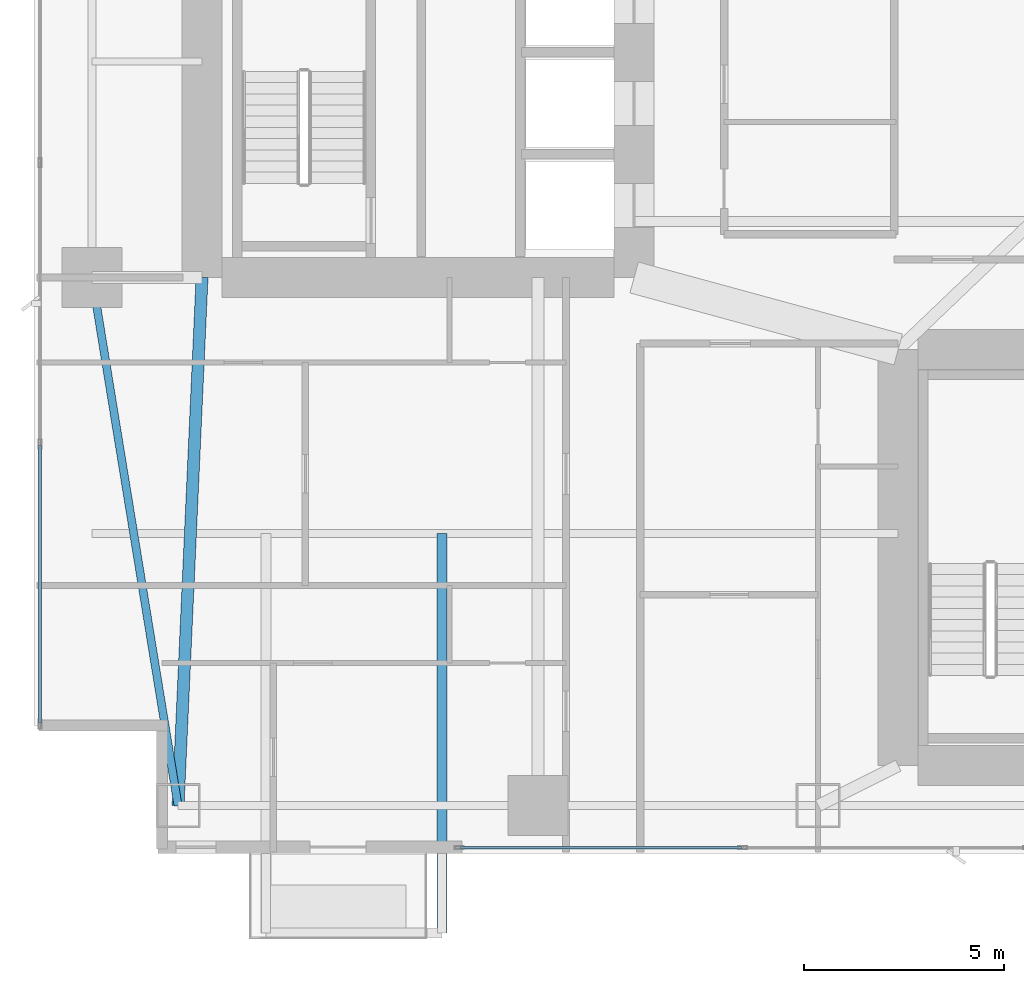
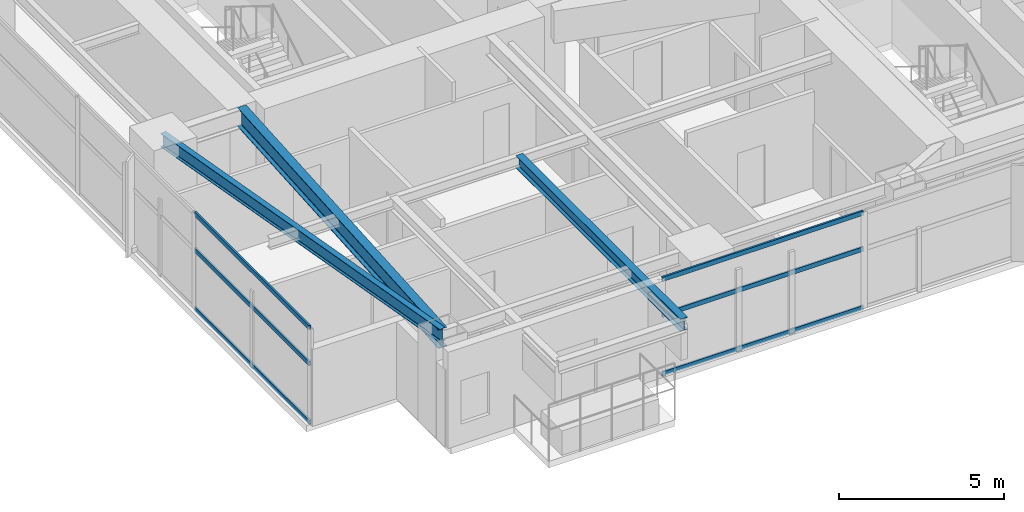
# One storey, part 3 of 30: 6 members, 3 beams, 2 elements without a shape of their own.
"""IFC4 building model written with IfcOpenShell, lengths in metres."""

from ifc_helpers import new_model, si_unit, direction, frame, origin, origin_2d, place, context, subcontext, project, spatial, hollow_rectangle, i_section, extrude, material, layer, layer_set, material_profile, profile_set, type_object, element, aggregate, save


model = new_model("IFC4")

# Units and contexts
model_context = context("Model", 3, precision=1e-05, world=origin(), true_north=direction((0.0, 1.0)))
body_context = subcontext(model_context, "Body", "Model", "MODEL_VIEW")
ifc_project = project(units=[si_unit("LENGTHUNIT", "METRE"), si_unit("AREAUNIT", "SQUARE_METRE"), si_unit("VOLUMEUNIT", "CUBIC_METRE"), si_unit("PLANEANGLEUNIT", "RADIAN"), si_unit("MASSUNIT", "GRAM", prefix="KILO")], contexts=[model_context])

# Site, building, storey
site_placement = place(None, origin())
site = spatial("IfcSite", under=ifc_project, at=site_placement, CompositionType="ELEMENT")
building_placement = place(site_placement, origin())
building = spatial("IfcBuilding", under=site, at=building_placement, Name="Calvorn Quay Hotel", CompositionType="ELEMENT")
storey_placement = place(building_placement, frame((0.0, 0.0, 30.800048828125)))
storey = spatial("IfcBuildingStorey", under=building, at=storey_placement, Name="L06", CompositionType="ELEMENT", Elevation=30.800048828125)

# Beams
ifc_material_1 = material(Name="Steel Q355B", Category="steel")
ifc_material_profile_1 = material_profile(ifc_material_1, i_section(OverallWidth=0.25, OverallDepth=0.449951171875, WebThickness=0.011962890625, FlangeThickness=0.01611328125, FilletRadius=0.01611328125, at=origin_2d()), Name="HN450x250x12x16")
ifc_profile_set_1 = profile_set([ifc_material_profile_1], Name="Steel Q355B")
beam_type_1 = type_object("IfcBeamType", Name="BM-CANT-BALC", PredefinedType="BEAM", material=ifc_profile_set_1)
beam_1_placement = place(storey_placement, frame((10.199951171875, 10.39990234375, 3.31494140625), z_axis=(0.0, -1.0, 0.0), x_axis=(1.0, 0.0, 0.0)))
element("IfcBeam", 1, at=beam_1_placement, inside=storey, type_object=beam_type_1, Name="Cantilever Balcony Beam BCB-L07-2B", PredefinedType="BEAM", context=body_context, shape_type="SweptSolid", body=[
    extrude(i_section(OverallWidth=0.25, OverallDepth=0.449951171875, WebThickness=0.011962890625, FlangeThickness=0.01611328125, FilletRadius=0.01611328125, at=origin_2d()), origin(), (0.0, 0.0, 1.0), 9.989990234375),
])
ifc_material_2 = material(Name="Steel Q390GJC", Category="steel")
ifc_material_profile_2 = material_profile(ifc_material_2, i_section(OverallWidth=0.300048828125, OverallDepth=0.699951171875, WebThickness=0.012939453125, FlangeThickness=0.02392578125, FilletRadius=0.02392578125, at=origin_2d()), Name="HN700x300x13x24")
ifc_profile_set_2 = profile_set([ifc_material_profile_2], Name="Steel Q390GJC")
beam_type_2 = type_object("IfcBeamType", Name="BM-GIRD-MAIN", PredefinedType="BEAM", material=ifc_profile_set_2)
beam_2_placement = place(storey_placement, frame((3.60009765625, 3.60009765625, 3.18994140625), z_axis=(0.045396765494, 0.998969035397, 0.0), x_axis=(-0.998969035397, 0.045396765494, 0.0)))
element("IfcBeam", 2, at=beam_2_placement, inside=storey, type_object=beam_type_2, Name="Beam BG-L06-W0", PredefinedType="BEAM", context=body_context, shape_type="SweptSolid", body=[
    extrude(i_section(OverallWidth=0.300048828125, OverallDepth=0.699951171875, WebThickness=0.012939453125, FlangeThickness=0.02392578125, FilletRadius=0.02392578125, at=origin_2d()), origin(), (0.0, 0.0, 1.0), 13.213623046875),
])
ifc_material_3 = material(Name="Steel Q355B", Category="steel")
ifc_material_profile_3 = material_profile(ifc_material_3, i_section(OverallWidth=0.199951171875, OverallDepth=0.5, WebThickness=0.010009765625, FlangeThickness=0.01611328125, FilletRadius=0.01611328125, at=origin_2d()), Name="HN500x200x10x16")
ifc_profile_set_3 = profile_set([ifc_material_profile_3], Name="Steel Q355B")
beam_type_3 = type_object("IfcBeamType", Name="BM-SPANDREL-Z1", PredefinedType="SPANDREL", material=ifc_profile_set_3)
beam_3_placement = place(storey_placement, frame((3.60009765625, 3.60009765625, 3.2900390625), z_axis=(-0.16077155054, 0.986991645627, 0.0), x_axis=(-0.986991645627, -0.16077155054, 0.0)))
element("IfcBeam", 3, at=beam_3_placement, inside=storey, type_object=beam_type_3, Name="Beam BSP-L06-W1", PredefinedType="SPANDREL", context=body_context, shape_type="SweptSolid", body=[
    extrude(i_section(OverallWidth=0.199951171875, OverallDepth=0.5, WebThickness=0.010009765625, FlangeThickness=0.01611328125, FilletRadius=0.01611328125, at=origin_2d()), origin(), (0.0, 0.0, 1.0), 13.3740234375),
])

# Curtain wall, members
ifc_material_4 = material(Name="Pale Anodised Aluminium and Low-E Glass", Category="aluminium")
ifc_layer = layer(ifc_material_4, 0.219970703125)
ifc_layer_set = layer_set([ifc_layer], Name="CW-SYS-Z1")
curtain_wall_type = type_object("IfcCurtainWallType", Name="CW-SYS-Z1", PredefinedType="NOTDEFINED", material=ifc_layer_set)
curtain_wall_1_placement = place(storey_placement, origin())
curtain_wall_1 = element("IfcCurtainWall", 4, at=curtain_wall_1_placement, inside=storey, type_object=curtain_wall_type, Name="Tower West Curtain Wall (L06)", PredefinedType="NOTDEFINED")
ifc_material_5 = material(Name="Pale Anodised Aluminium 6063-T6", Category="aluminium")
ifc_material_profile_4 = material_profile(ifc_material_5, hollow_rectangle(XDim=0.06494140625, YDim=0.1650390625, WallThickness=0.00341796875, at=origin_2d()), Name="ALU-T165x65x3.5")
ifc_profile_set_4 = profile_set([ifc_material_profile_4], Name="Pale Anodised Aluminium 6063-T6")
member_type = type_object("IfcMemberType", Name="CW-SYS-Z1-TRN", PredefinedType="USERDEFINED", material=ifc_profile_set_4)
member_1_placement = place(storey_placement, frame((0.14990234375, 5.659912109375, 0.030029296875), z_axis=(0.0, 1.0, 0.0), x_axis=(-1.0, 0.0, 0.0)))
member_1 = element("IfcMember", 5, at=member_1_placement, type_object=member_type, Name="CW-L06-W transom 1.1", ObjectType="TRANSOM", PredefinedType="USERDEFINED", context=body_context, shape_type="SweptSolid", body=[
    extrude(hollow_rectangle(XDim=0.06494140625, YDim=0.1650390625, WallThickness=0.00341796875, at=origin_2d()), origin(), (0.0, 0.0, 1.0), 6.943359375),
])
member_2_placement = place(storey_placement, frame((0.14990234375, 5.659912109375, 2.199951171875), z_axis=(0.0, 1.0, 0.0), x_axis=(-1.0, 0.0, 0.0)))
member_2 = element("IfcMember", 6, at=member_2_placement, type_object=member_type, Name="CW-L06-W transom 1.2", ObjectType="TRANSOM", PredefinedType="USERDEFINED", context=body_context, shape_type="SweptSolid", body=[
    extrude(hollow_rectangle(XDim=0.06494140625, YDim=0.1650390625, WallThickness=0.00341796875, at=origin_2d()), origin(), (0.0, 0.0, 1.0), 6.943359375),
])
member_3_placement = place(storey_placement, frame((0.14990234375, 5.659912109375, 3.530029296875), z_axis=(0.0, 1.0, 0.0), x_axis=(-1.0, 0.0, 0.0)))
member_3 = element("IfcMember", 7, at=member_3_placement, type_object=member_type, Name="CW-L06-W transom 1.3", ObjectType="TRANSOM", PredefinedType="USERDEFINED", context=body_context, shape_type="SweptSolid", body=[
    extrude(hollow_rectangle(XDim=0.06494140625, YDim=0.1650390625, WallThickness=0.00341796875, at=origin_2d()), origin(), (0.0, 0.0, 1.0), 6.943359375),
])
aggregate(curtain_wall_1, [member_1, member_2, member_3])

curtain_wall_2_placement = place(storey_placement, origin())
curtain_wall_2 = element("IfcCurtainWall", 8, at=curtain_wall_2_placement, inside=storey, type_object=curtain_wall_type, Name="Tower South Waterfront Curtain Wall (L06)", PredefinedType="NOTDEFINED")
member_4_placement = place(storey_placement, frame((10.659912109375, 2.550048828125, 0.030029296875), z_axis=(1.0, 0.0, 0.0), x_axis=(0.0, 1.0, 0.0)))
member_4 = element("IfcMember", 9, at=member_4_placement, type_object=member_type, Name="CW-L06-S transom 1.1", ObjectType="TRANSOM", PredefinedType="USERDEFINED", context=body_context, shape_type="SweptSolid", body=[
    extrude(hollow_rectangle(XDim=0.06494140625, YDim=0.1650390625, WallThickness=0.00341796875, at=origin_2d()), origin(), (0.0, 0.0, 1.0), 7.0244140625),
])
member_5_placement = place(storey_placement, frame((10.659912109375, 2.550048828125, 2.199951171875), z_axis=(1.0, 0.0, 0.0), x_axis=(0.0, 1.0, 0.0)))
member_5 = element("IfcMember", 10, at=member_5_placement, type_object=member_type, Name="CW-L06-S transom 1.2", ObjectType="TRANSOM", PredefinedType="USERDEFINED", context=body_context, shape_type="SweptSolid", body=[
    extrude(hollow_rectangle(XDim=0.06494140625, YDim=0.1650390625, WallThickness=0.00341796875, at=origin_2d()), origin(), (0.0, 0.0, 1.0), 7.0244140625),
])
member_6_placement = place(storey_placement, frame((10.659912109375, 2.550048828125, 3.530029296875), z_axis=(1.0, 0.0, 0.0), x_axis=(0.0, 1.0, 0.0)))
member_6 = element("IfcMember", 11, at=member_6_placement, type_object=member_type, Name="CW-L06-S transom 1.3", ObjectType="TRANSOM", PredefinedType="USERDEFINED", context=body_context, shape_type="SweptSolid", body=[
    extrude(hollow_rectangle(XDim=0.06494140625, YDim=0.1650390625, WallThickness=0.00341796875, at=origin_2d()), origin(), (0.0, 0.0, 1.0), 7.0244140625),
])
aggregate(curtain_wall_2, [member_4, member_5, member_6])

save(model, "model.ifc")
